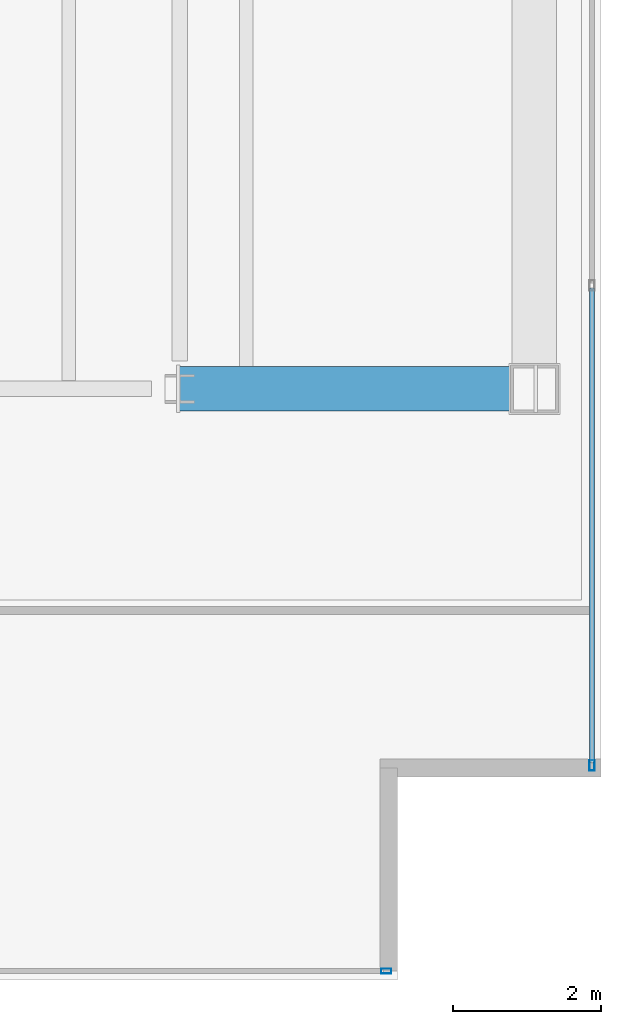
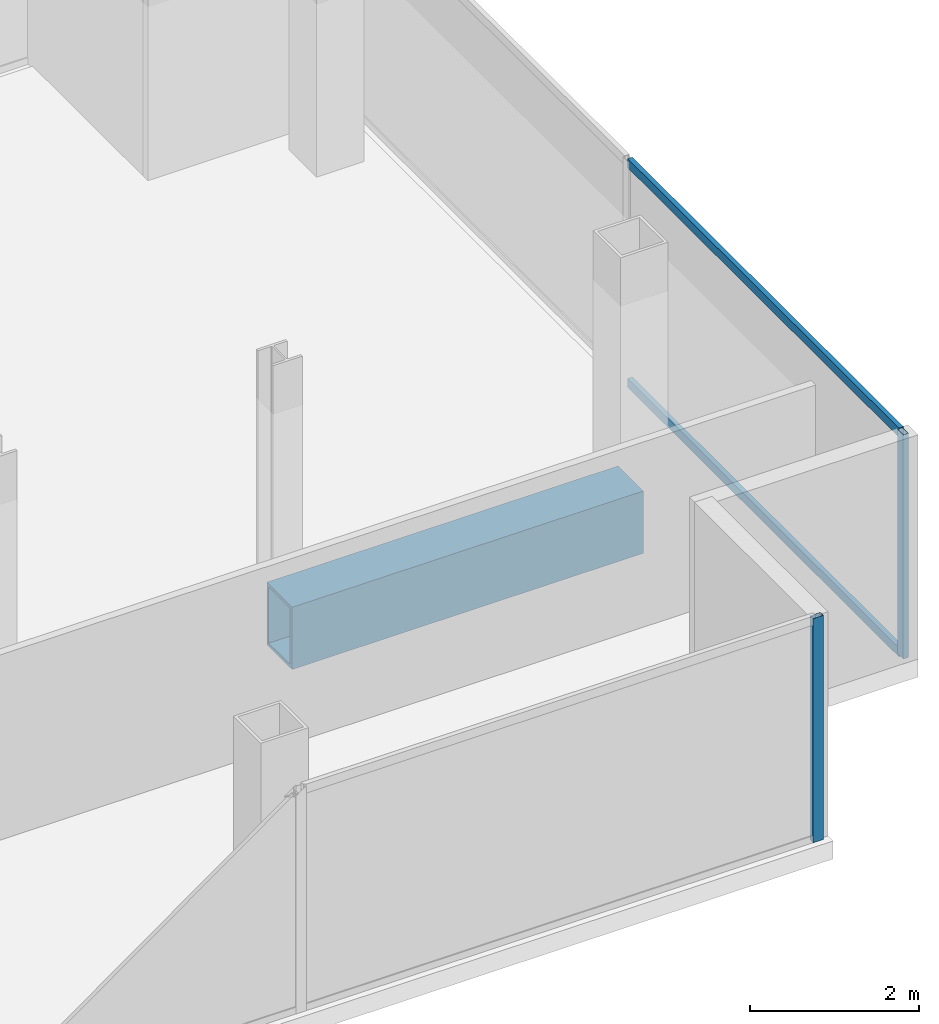
# One storey, part 14 of 24: 4 members, 1 beam, 2 elements without a shape of their own.
"""IFC4 building model written with IfcOpenShell, lengths in metres."""

from ifc_helpers import new_model, si_unit, direction, frame, origin, origin_2d, place, context, subcontext, project, spatial, hollow_rectangle, extrude, material, material_profile, profile_set, type_object, element, aggregate, save


model = new_model("IFC4")

# Units and contexts
model_context = context("Model", 3, precision=1e-05, world=origin(), true_north=direction((0.0, 1.0)))
body_context = subcontext(model_context, "Body", "Model", "MODEL_VIEW")
ifc_project = project(units=[si_unit("LENGTHUNIT", "METRE"), si_unit("AREAUNIT", "SQUARE_METRE"), si_unit("VOLUMEUNIT", "CUBIC_METRE"), si_unit("PLANEANGLEUNIT", "RADIAN"), si_unit("MASSUNIT", "GRAM", prefix="KILO")], contexts=[model_context])

# Site, building, storey
site_placement = place(None, origin())
site = spatial("IfcSite", under=ifc_project, at=site_placement, CompositionType="ELEMENT")
building_placement = place(site_placement, origin())
building = spatial("IfcBuilding", under=site, at=building_placement, Name="Cobrela Telecom Tower", CompositionType="ELEMENT")
storey_placement = place(building_placement, frame((0.0, 0.0, 241.14990234375)))
storey = spatial("IfcBuildingStorey", under=building, at=storey_placement, Name="L62", CompositionType="ELEMENT", Elevation=241.14990234375)

# Beam
ifc_material_1 = material(Name="Steel ASTM A572 Grade 50", Category="steel")
ifc_material_profile_1 = material_profile(ifc_material_1, hollow_rectangle(XDim=0.60009765625, YDim=0.89990234375, WallThickness=0.044921875, at=origin_2d()), Name="BOX 900x600x45")
ifc_profile_set_1 = profile_set([ifc_material_profile_1], Name="Steel ASTM A572 Grade 50")
beam_type = type_object("IfcBeamType", Name="BM-TRG-900", PredefinedType="USERDEFINED", material=ifc_profile_set_1)
beam_placement = place(storey_placement, frame((39.89990234375, 14.39990234375, -0.7099609375), z_axis=(1.0, 0.0, 0.0), x_axis=(0.0, 1.0, 0.0)))
element("IfcBeam", 1, at=beam_placement, inside=storey, type_object=beam_type, Name="L62 Block-4 Outward Cantilever Transfer Box Girder 1", ObjectType="GIRDER", PredefinedType="USERDEFINED", context=body_context, shape_type="SweptSolid", body=[
    extrude(hollow_rectangle(XDim=0.60009765625, YDim=0.89990234375, WallThickness=0.044921875, at=origin_2d()), origin(), (0.0, 0.0, 1.0), 4.800048828125),
])

# Curtain wall, member
ifc_material_2 = material(Name="Anodized Bronze Aluminium 6063-T6", Category="aluminium")
curtain_wall_type = type_object("IfcCurtainWallType", Name="CW-SYS-OFF-HI", PredefinedType="USERDEFINED", material=ifc_material_2)
curtain_wall_1_placement = place(storey_placement, origin())
curtain_wall_1 = element("IfcCurtainWall", 2, at=curtain_wall_1_placement, inside=storey, type_object=curtain_wall_type, Name="L62 Unitised Bronze Curtain Wall 12", ObjectType="UNITISED CURTAIN WALL", PredefinedType="USERDEFINED")
ifc_material_profile_2 = material_profile(ifc_material_2, hollow_rectangle(XDim=0.070068359375, YDim=0.139892578125, WallThickness=0.00390625, at=origin_2d()), Name="ALU 70x140x4")
ifc_profile_set_2 = profile_set([ifc_material_profile_2], Name="Anodized Bronze Aluminium 6063-T6")
member_type_1 = type_object("IfcMemberType", Name="CW-SYS-OFF-HI-MUL", PredefinedType="MULLION", material=ifc_profile_set_2)
member_1_placement = place(storey_placement, frame((45.47998046875, 9.304931640625, 0.0), z_axis=(0.0, 0.0, 1.0), x_axis=(1.0, 0.0, 0.0)))
member_1 = element("IfcMember", 3, at=member_1_placement, type_object=member_type_1, Name="CW-OFF-HI mullion 3", PredefinedType="MULLION", context=body_context, shape_type="SweptSolid", body=[
    extrude(hollow_rectangle(XDim=0.070068359375, YDim=0.139892578125, WallThickness=0.00390625, at=origin_2d()), origin(), (0.0, 0.0, 1.0), 3.239990234375),
])

curtain_wall_2_placement = place(storey_placement, origin())
curtain_wall_2 = element("IfcCurtainWall", 4, at=curtain_wall_2_placement, inside=storey, type_object=curtain_wall_type, Name="L62 Unitised Bronze Curtain Wall 15", ObjectType="UNITISED CURTAIN WALL", PredefinedType="USERDEFINED")
member_2_placement = place(storey_placement, frame((42.695068359375, 6.52001953125, 0.0), z_axis=(0.0, 0.0, 1.0), x_axis=(0.0, -1.0, 0.0)))
member_2 = element("IfcMember", 5, at=member_2_placement, type_object=member_type_1, Name="CW-OFF-HI mullion 1", PredefinedType="MULLION", context=body_context, shape_type="SweptSolid", body=[
    extrude(hollow_rectangle(XDim=0.070068359375, YDim=0.139892578125, WallThickness=0.00390625, at=origin_2d()), origin(), (0.0, 0.0, 1.0), 3.239990234375),
])
aggregate(curtain_wall_2, [member_2])

# Member
ifc_material_profile_3 = material_profile(ifc_material_2, hollow_rectangle(XDim=0.06494140625, YDim=0.1298828125, WallThickness=0.00390625, at=origin_2d()), Name="ALU 65x130x4")
ifc_profile_set_3 = profile_set([ifc_material_profile_3], Name="Anodized Bronze Aluminium 6063-T6")
member_type_2 = type_object("IfcMemberType", Name="CW-SYS-OFF-HI-TRN", PredefinedType="USERDEFINED", material=ifc_profile_set_3)
member_3_placement = place(storey_placement, frame((45.47998046875, 15.764892578125, 0.03271484375), z_axis=(0.0, -1.0, 0.0), x_axis=(1.0, 0.0, 0.0)))
member_3 = element("IfcMember", 6, at=member_3_placement, type_object=member_type_2, Name="CW-OFF-HI transom 2.1", ObjectType="TRANSOM", PredefinedType="USERDEFINED", context=body_context, shape_type="SweptSolid", body=[
    extrude(hollow_rectangle(XDim=0.06494140625, YDim=0.1298828125, WallThickness=0.00390625, at=origin_2d()), origin(), (0.0, 0.0, 1.0), 6.4248046875),
])

member_4_placement = place(storey_placement, frame((45.47998046875, 15.764892578125, 3.20751953125), z_axis=(0.0, -1.0, 0.0), x_axis=(1.0, 0.0, 0.0)))
member_4 = element("IfcMember", 7, at=member_4_placement, type_object=member_type_2, Name="CW-OFF-HI transom 2.2", ObjectType="TRANSOM", PredefinedType="USERDEFINED", context=body_context, shape_type="SweptSolid", body=[
    extrude(hollow_rectangle(XDim=0.06494140625, YDim=0.1298828125, WallThickness=0.00390625, at=origin_2d()), origin(), (0.0, 0.0, 1.0), 6.4248046875),
])

aggregate(curtain_wall_1, [member_1, member_3, member_4])

save(model, "model.ifc")
